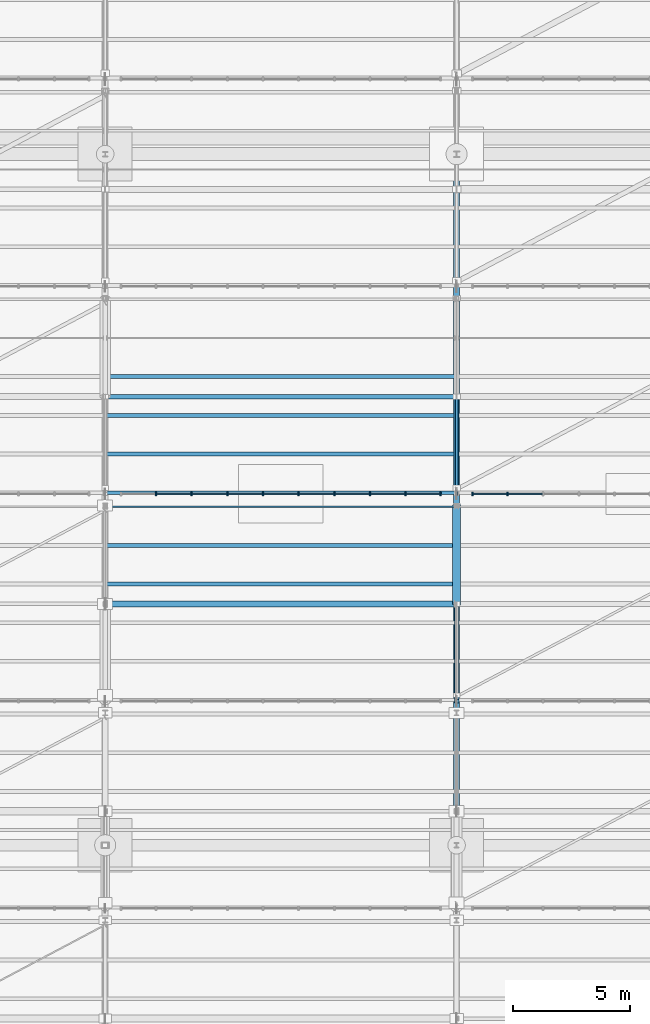
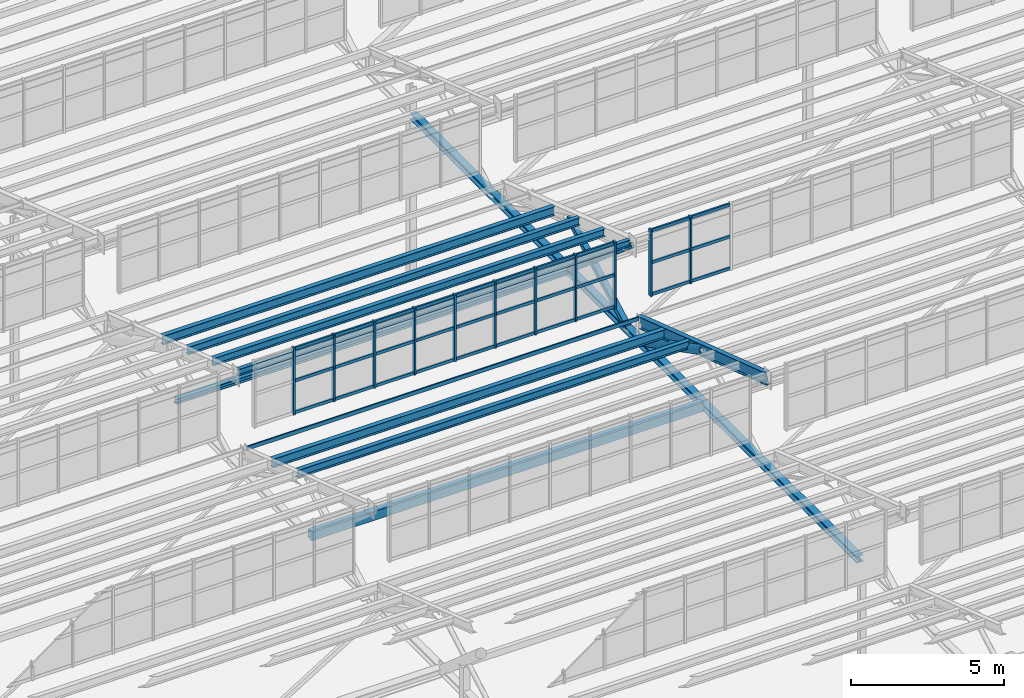
# One storey, part 68 of 285: 46 members, 9 beams, 2 elements without a shape of their own.
"""IFC4 building model written with IfcOpenShell, lengths in metres."""

import ifcopenshell
import ifcopenshell.guid

model = None  # the IFC model being written
_history = None  # IfcOwnerHistory: only IFC2X3 demands one
_inside = {}  # id of a spatial element -> (the spatial element, [elements in it])
_under = {}  # id of a project, library or spatial element -> (it, [spatial elements below it])
_declared = {}  # id of a project -> (the project, [libraries it declares])
_typed = {}  # id of a type object -> (the type object, [elements of that type])
_made_of = {}  # id of a material, layer set ... -> (it, [elements and type objects made of it])


def new_model(schema):
    """Start an empty IFC model of exactly this schema.

    Asked for "IFC4X3", IfcOpenShell would pick the latest addendum, in which some entities
    have other attributes; the version numbers below select the first issue.
    IFC2X3 requires an IfcOwnerHistory on every rooted entity: one is made here for all.
    """
    global model, _history
    if schema == "IFC4X3":
        model = ifcopenshell.file(schema_version=(4, 3, 0, 0))
    else:
        model = ifcopenshell.file(schema=schema)
    _inside.clear()
    _under.clear()
    _declared.clear()
    _typed.clear()
    _made_of.clear()
    _history = None
    if model.schema == "IFC2X3":
        org = make("IfcOrganization", Name="unknown")
        user = make(
            "IfcPersonAndOrganization",
            ThePerson=make("IfcPerson", FamilyName="unknown"),
            TheOrganization=org,
        )
        app = make(
            "IfcApplication",
            ApplicationDeveloper=org,
            Version="unknown",
            ApplicationFullName="unknown",
            ApplicationIdentifier="unknown",
        )
        _history = make(
            "IfcOwnerHistory",
            OwningUser=user,
            OwningApplication=app,
            ChangeAction="ADDED",
            CreationDate=0,
        )
    return model


def make(cls, **values):
    """One entity of the class cls with the attributes given. An attribute that is None is left unset."""
    return model.create_entity(
        cls, **{name: value for name, value in values.items() if value is not None}
    )


def rooted(cls, **values):
    """An entity with a GlobalId (a new one), such as an element, a storey or a relation."""
    return make(cls, GlobalId=ifcopenshell.guid.new(), OwnerHistory=_history, **values)


def si_unit(unit_type, name, prefix=None):
    """IfcSIUnit, for example si_unit("LENGTHUNIT", "METRE", prefix="MILLI")."""
    return make("IfcSIUnit", UnitType=unit_type, Prefix=prefix, Name=name)


def assignment(units):
    """IfcUnitAssignment: the units of a project."""
    return None if units is None else make("IfcUnitAssignment", Units=units)


def point(xyz):
    """IfcCartesianPoint."""
    return None if xyz is None else make("IfcCartesianPoint", Coordinates=xyz)


def direction(xyz):
    """IfcDirection."""
    return None if xyz is None else make("IfcDirection", DirectionRatios=xyz)


def frame(location, z_axis=None, x_axis=None):
    """IfcAxis2Placement3D, a coordinate frame: its origin and axes. An axis left out is left unset."""
    return make(
        "IfcAxis2Placement3D",
        Location=point(location),
        Axis=direction(z_axis),
        RefDirection=direction(x_axis),
    )


def frame_2d(location, x_axis=None):
    """IfcAxis2Placement2D, a coordinate frame in the plane: its origin and x axis."""
    return make(
        "IfcAxis2Placement2D", Location=point(location), RefDirection=direction(x_axis)
    )


def origin():
    """The frame at (0, 0, 0) with its axes left unset."""
    return frame((0.0, 0.0, 0.0))


def origin_2d():
    """The frame at (0, 0) in the plane with its x axis left unset."""
    return frame_2d((0.0, 0.0))


def place(relative_to, where):
    """IfcLocalPlacement: puts the frame where relative to a parent placement (None: the world)."""
    return make(
        "IfcLocalPlacement", PlacementRelTo=relative_to, RelativePlacement=where
    )


def context(
    kind, dimensions, precision=None, world=None, true_north=None, identifier=None
):
    """IfcGeometricRepresentationContext, for example the 3D "Model" context."""
    return make(
        "IfcGeometricRepresentationContext",
        ContextIdentifier=identifier,
        ContextType=kind,
        CoordinateSpaceDimension=dimensions,
        Precision=precision,
        WorldCoordinateSystem=world,
        TrueNorth=true_north,
    )


def subcontext(parent, identifier, kind, view, scale=None):
    """IfcGeometricRepresentationSubContext, for example "Body" below "Model"."""
    return make(
        "IfcGeometricRepresentationSubContext",
        ContextIdentifier=identifier,
        ContextType=kind,
        ParentContext=parent,
        TargetScale=scale,
        TargetView=view,
    )


def project(units=None, contexts=None):
    """IfcProject with its units and contexts."""
    return rooted(
        "IfcProject",
        Name="project",
        RepresentationContexts=contexts,
        UnitsInContext=assignment(units),
    )


def spatial(cls, under=None, at=None, **own):
    """A site, building, storey or space (cls), placed at a placement, below another one or the project."""
    s = rooted(cls, ObjectPlacement=at, **own)
    if under is not None:
        _under.setdefault(under.id(), (under, []))[1].append(s)
    return s


def profile(cls, at=None, kind="AREA", **sizes):
    """A parametric profile (cls). Its sizes go by their IFC names, for example OverallWidth=200.0."""
    return make(cls, ProfileType=kind, Position=at, **sizes)


def rectangle(**sizes):
    """IfcRectangleProfileDef."""
    return profile("IfcRectangleProfileDef", **sizes)


def hollow_rectangle(**sizes):
    """IfcRectangleHollowProfileDef."""
    return profile("IfcRectangleHollowProfileDef", **sizes)


def hollow_circle(**sizes):
    """IfcCircleHollowProfileDef."""
    return profile("IfcCircleHollowProfileDef", **sizes)


def i_section(**sizes):
    """IfcIShapeProfileDef."""
    return profile("IfcIShapeProfileDef", **sizes)


def extrude(swept, where, along, depth):
    """IfcExtrudedAreaSolid: the profile swept, set in the frame where, extruded along a direction by depth."""
    return make(
        "IfcExtrudedAreaSolid",
        SweptArea=swept,
        Position=where,
        ExtrudedDirection=direction(along),
        Depth=depth,
    )


def shape(context_of_items, identifier, shape_type, items):
    """IfcShapeRepresentation: the items that make up one representation, for example the "Body"."""
    return make(
        "IfcShapeRepresentation",
        ContextOfItems=context_of_items,
        RepresentationIdentifier=identifier,
        RepresentationType=shape_type,
        Items=items,
    )


def material(Name=None, Category=None):
    """IfcMaterial."""
    return make("IfcMaterial", Name=Name, Category=Category)


def material_profile(
    of_material, cross_section, Name=None, Category=None, Priority=None
):
    """IfcMaterialProfile: a cross section and its material."""
    return make(
        "IfcMaterialProfile",
        Name=Name,
        Material=of_material,
        Profile=cross_section,
        Priority=Priority,
        Category=Category,
    )


def profile_set(profiles, Name=None, composite=None):
    """IfcMaterialProfileSet."""
    return make(
        "IfcMaterialProfileSet",
        Name=Name,
        MaterialProfiles=profiles,
        CompositeProfile=composite,
    )


def made_of(thing, what):
    """Note that an element or type object is made of a material, layer set ...; save() writes the relation."""
    if what is not None:
        _made_of.setdefault(what.id(), (what, []))[1].append(thing)
    return thing


def type_object(cls, material=None, **own):
    """A type object (cls), such as IfcWallType, which elements share."""
    return made_of(rooted(cls, **own), material)


def element(
    cls,
    number,
    at=None,
    inside=None,
    cuts=None,
    type_object=None,
    material=None,
    context=None,
    identifier="Body",
    shape_type=None,
    held_by="IfcProductDefinitionShape",
    body=None,
    shapes=None,
    **own,
):
    """One element of the class cls, such as IfcWall. Its Tag is "e" and its number.

    at: its placement. inside: the storey or other place that contains it. cuts: it is an
    opening in that element (IfcRelVoidsElement). A single representation is given by context,
    identifier, shape_type and body (its items); several are given by shapes. held_by: the class
    of the entity that holds the representations. save() writes the other relations.
    """
    e = rooted(cls, Tag="e%d" % number, ObjectPlacement=at, **own)
    if body is not None:
        shapes = [shape(context, identifier, shape_type, body)]
    if shapes is not None:
        e.Representation = make(held_by, Representations=shapes)
    if inside is not None:
        _inside.setdefault(inside.id(), (inside, []))[1].append(e)
    if cuts is not None:
        rooted(
            "IfcRelVoidsElement", RelatingBuildingElement=cuts, RelatedOpeningElement=e
        )
    if type_object is not None:
        _typed.setdefault(type_object.id(), (type_object, []))[1].append(e)
    return made_of(e, material)


def aggregate(whole, parts):
    """IfcRelAggregates: a whole, such as a stair, and the parts it consists of."""
    return rooted("IfcRelAggregates", RelatingObject=whole, RelatedObjects=parts)


def save(model, path):
    """Write the relations noted so far, then the file.

    IfcRelAggregates (storeys below a building ...), IfcRelContainedInSpatialStructure (elements
    in a storey), IfcRelDefinesByType, IfcRelAssociatesMaterial and IfcRelDeclares: one each for
    every whole, place, type object, material and project.
    """
    for whole, parts in _under.values():
        aggregate(whole, parts)
    for where, things in _inside.values():
        rooted(
            "IfcRelContainedInSpatialStructure",
            RelatedElements=things,
            RelatingStructure=where,
        )
    for kind, things in _typed.values():
        rooted("IfcRelDefinesByType", RelatedObjects=things, RelatingType=kind)
    for what, things in _made_of.values():
        rooted("IfcRelAssociatesMaterial", RelatedObjects=things, RelatingMaterial=what)
    for by, libraries in _declared.values():
        rooted("IfcRelDeclares", RelatingContext=by, RelatedDefinitions=libraries)
    model.write(path)


model = new_model("IFC4")

# Units and contexts
model_context = context("Model", 3, precision=1e-05, world=origin(), true_north=direction((0.0, 1.0)))
body_context = subcontext(model_context, "Body", "Model", "MODEL_VIEW")
ifc_project = project(units=[si_unit("LENGTHUNIT", "METRE"), si_unit("AREAUNIT", "SQUARE_METRE"), si_unit("VOLUMEUNIT", "CUBIC_METRE"), si_unit("PLANEANGLEUNIT", "RADIAN"), si_unit("MASSUNIT", "GRAM", prefix="KILO")], contexts=[model_context])

# Site, building, storey
site_placement = place(None, origin())
site = spatial("IfcSite", under=ifc_project, at=site_placement, CompositionType="ELEMENT")
building_placement = place(site_placement, origin())
building = spatial("IfcBuilding", under=site, at=building_placement, Name="Solanera Park Tramway Depot", CompositionType="ELEMENT")
storey_placement = place(building_placement, origin())
storey = spatial("IfcBuildingStorey", under=building, at=storey_placement, Name="L00", CompositionType="ELEMENT", Elevation=0.0)

# Curtain wall, members
ifc_material_1 = material(Name="Bronze-anodised thermally broken aluminium curtain wall", Category="aluminium")
curtain_wall_type = type_object("IfcCurtainWallType", Name="Sawtooth Clerestory Monitor Curtain Wall", PredefinedType="NOTDEFINED", material=ifc_material_1)
curtain_wall_1_placement = place(storey_placement, origin())
curtain_wall_1 = element("IfcCurtainWall", 1, at=curtain_wall_1_placement, inside=storey, type_object=curtain_wall_type, Name="L00 Sawtooth Clerestory Monitor Curtain Wall #037", PredefinedType="NOTDEFINED")
ifc_material_2 = material(Name="Bronze-anodised structural aluminium 6063-T6", Category="aluminium")
ifc_material_profile_1 = material_profile(ifc_material_2, rectangle(XDim=0.06494140625, YDim=0.14990234375, at=origin_2d()), Name="Curtain Wall Mullion 65x150")
ifc_profile_set_1 = profile_set([ifc_material_profile_1], Name="Bronze-anodised structural aluminium 6063-T6")
member_type_1 = type_object("IfcMemberType", Name="Curtain Wall Mullion 65x150", PredefinedType="MULLION", material=ifc_profile_set_1)
member_1_placement = place(storey_placement, frame((32.172119140625, 100.0, 7.75), z_axis=(0.0, 0.0, 1.0), x_axis=(1.0, 0.0, 0.0)))
member_1 = element("IfcMember", 2, at=member_1_placement, type_object=member_type_1, Name="CW-L00-037 Mullion 2", PredefinedType="MULLION", context=body_context, shape_type="SweptSolid", body=[
    extrude(rectangle(XDim=0.06494140625, YDim=0.14990234375, at=origin_2d()), origin(), (0.0, 0.0, 1.0), 2.6611328125),
])
member_2_placement = place(storey_placement, frame((33.6943359375, 100.0, 7.75), z_axis=(0.0, 0.0, 1.0), x_axis=(1.0, 0.0, 0.0)))
member_2 = element("IfcMember", 3, at=member_2_placement, type_object=member_type_1, Name="CW-L00-037 Mullion 3", PredefinedType="MULLION", context=body_context, shape_type="SweptSolid", body=[
    extrude(rectangle(XDim=0.06494140625, YDim=0.14990234375, at=origin_2d()), origin(), (0.0, 0.0, 1.0), 2.6611328125),
])
member_3_placement = place(storey_placement, frame((35.216796875, 100.0, 7.75), z_axis=(0.0, 0.0, 1.0), x_axis=(1.0, 0.0, 0.0)))
member_3 = element("IfcMember", 4, at=member_3_placement, type_object=member_type_1, Name="CW-L00-037 Mullion 4", PredefinedType="MULLION", context=body_context, shape_type="SweptSolid", body=[
    extrude(rectangle(XDim=0.06494140625, YDim=0.14990234375, at=origin_2d()), origin(), (0.0, 0.0, 1.0), 2.6611328125),
])
member_4_placement = place(storey_placement, frame((36.739013671875, 100.0, 7.75), z_axis=(0.0, 0.0, 1.0), x_axis=(1.0, 0.0, 0.0)))
member_4 = element("IfcMember", 5, at=member_4_placement, type_object=member_type_1, Name="CW-L00-037 Mullion 5", PredefinedType="MULLION", context=body_context, shape_type="SweptSolid", body=[
    extrude(rectangle(XDim=0.06494140625, YDim=0.14990234375, at=origin_2d()), origin(), (0.0, 0.0, 1.0), 2.6611328125),
])
member_5_placement = place(storey_placement, frame((38.260986328125, 100.0, 7.75), z_axis=(0.0, 0.0, 1.0), x_axis=(1.0, 0.0, 0.0)))
member_5 = element("IfcMember", 6, at=member_5_placement, type_object=member_type_1, Name="CW-L00-037 Mullion 6", PredefinedType="MULLION", context=body_context, shape_type="SweptSolid", body=[
    extrude(rectangle(XDim=0.06494140625, YDim=0.14990234375, at=origin_2d()), origin(), (0.0, 0.0, 1.0), 2.6611328125),
])
member_6_placement = place(storey_placement, frame((39.783203125, 100.0, 7.75), z_axis=(0.0, 0.0, 1.0), x_axis=(1.0, 0.0, 0.0)))
member_6 = element("IfcMember", 7, at=member_6_placement, type_object=member_type_1, Name="CW-L00-037 Mullion 7", PredefinedType="MULLION", context=body_context, shape_type="SweptSolid", body=[
    extrude(rectangle(XDim=0.06494140625, YDim=0.14990234375, at=origin_2d()), origin(), (0.0, 0.0, 1.0), 2.6611328125),
])
member_7_placement = place(storey_placement, frame((41.3056640625, 100.0, 7.75), z_axis=(0.0, 0.0, 1.0), x_axis=(1.0, 0.0, 0.0)))
member_7 = element("IfcMember", 8, at=member_7_placement, type_object=member_type_1, Name="CW-L00-037 Mullion 8", PredefinedType="MULLION", context=body_context, shape_type="SweptSolid", body=[
    extrude(rectangle(XDim=0.06494140625, YDim=0.14990234375, at=origin_2d()), origin(), (0.0, 0.0, 1.0), 2.6611328125),
])
member_8_placement = place(storey_placement, frame((42.827880859375, 100.0, 7.75), z_axis=(0.0, 0.0, 1.0), x_axis=(1.0, 0.0, 0.0)))
member_8 = element("IfcMember", 9, at=member_8_placement, type_object=member_type_1, Name="CW-L00-037 Mullion 9", PredefinedType="MULLION", context=body_context, shape_type="SweptSolid", body=[
    extrude(rectangle(XDim=0.06494140625, YDim=0.14990234375, at=origin_2d()), origin(), (0.0, 0.0, 1.0), 2.6611328125),
])
member_9_placement = place(storey_placement, frame((44.3173828125, 100.0, 7.75), z_axis=(0.0, 0.0, 1.0), x_axis=(1.0, 0.0, 0.0)))
member_9 = element("IfcMember", 10, at=member_9_placement, type_object=member_type_1, Name="CW-L00-037 Mullion 10", PredefinedType="MULLION", context=body_context, shape_type="SweptSolid", body=[
    extrude(rectangle(XDim=0.06494140625, YDim=0.14990234375, at=origin_2d()), origin(), (0.0, 0.0, 1.0), 2.6611328125),
])

curtain_wall_2_placement = place(storey_placement, origin())
curtain_wall_2 = element("IfcCurtainWall", 11, at=curtain_wall_2_placement, inside=storey, type_object=curtain_wall_type, Name="L00 Sawtooth Clerestory Monitor Curtain Wall #038", PredefinedType="NOTDEFINED")
member_10_placement = place(storey_placement, frame((45.6826171875, 100.0, 7.75), z_axis=(0.0, 0.0, 1.0), x_axis=(1.0, 0.0, 0.0)))
member_10 = element("IfcMember", 12, at=member_10_placement, type_object=member_type_1, Name="CW-L00-038 Mullion 1", PredefinedType="MULLION", context=body_context, shape_type="SweptSolid", body=[
    extrude(rectangle(XDim=0.06494140625, YDim=0.14990234375, at=origin_2d()), origin(), (0.0, 0.0, 1.0), 2.6611328125),
])
member_11_placement = place(storey_placement, frame((47.172119140625, 100.0, 7.75), z_axis=(0.0, 0.0, 1.0), x_axis=(1.0, 0.0, 0.0)))
member_11 = element("IfcMember", 13, at=member_11_placement, type_object=member_type_1, Name="CW-L00-038 Mullion 2", PredefinedType="MULLION", context=body_context, shape_type="SweptSolid", body=[
    extrude(rectangle(XDim=0.06494140625, YDim=0.14990234375, at=origin_2d()), origin(), (0.0, 0.0, 1.0), 2.6611328125),
])

# Member
ifc_material_3 = material(Name="Bronze-anodised structural aluminium 6063-T6", Category="aluminium")
ifc_material_profile_2 = material_profile(ifc_material_3, rectangle(XDim=0.06494140625, YDim=0.1201171875, at=origin_2d()), Name="Curtain Wall Transom 65x120")
ifc_profile_set_2 = profile_set([ifc_material_profile_2], Name="Bronze-anodised structural aluminium 6063-T6")
member_type_2 = type_object("IfcMemberType", Name="Curtain Wall Transom 65x120", PredefinedType="USERDEFINED", material=ifc_profile_set_2)
member_12_placement = place(storey_placement, frame((32.2001953125, 100.0, 7.81005859375), z_axis=(1.0, 0.0, 0.0), x_axis=(0.0, 1.0, 0.0)))
member_12 = element("IfcMember", 14, at=member_12_placement, type_object=member_type_2, Name="CW-L00-037 Transom R1.C2", ObjectType="TRANSOM", PredefinedType="USERDEFINED", context=body_context, shape_type="SweptSolid", body=[
    extrude(rectangle(XDim=0.06494140625, YDim=0.1201171875, at=origin_2d()), origin(), (0.0, 0.0, 1.0), 1.46630859375),
])

member_13_placement = place(storey_placement, frame((33.722412109375, 100.0, 7.81005859375), z_axis=(1.0, 0.0, 0.0), x_axis=(0.0, 1.0, 0.0)))
member_13 = element("IfcMember", 15, at=member_13_placement, type_object=member_type_2, Name="CW-L00-037 Transom R1.C3", ObjectType="TRANSOM", PredefinedType="USERDEFINED", context=body_context, shape_type="SweptSolid", body=[
    extrude(rectangle(XDim=0.06494140625, YDim=0.1201171875, at=origin_2d()), origin(), (0.0, 0.0, 1.0), 1.46630859375),
])

member_14_placement = place(storey_placement, frame((35.24462890625, 100.0, 7.81005859375), z_axis=(1.0, 0.0, 0.0), x_axis=(0.0, 1.0, 0.0)))
member_14 = element("IfcMember", 16, at=member_14_placement, type_object=member_type_2, Name="CW-L00-037 Transom R1.C4", ObjectType="TRANSOM", PredefinedType="USERDEFINED", context=body_context, shape_type="SweptSolid", body=[
    extrude(rectangle(XDim=0.06494140625, YDim=0.1201171875, at=origin_2d()), origin(), (0.0, 0.0, 1.0), 1.46630859375),
])

member_15_placement = place(storey_placement, frame((36.766845703125, 100.0, 7.81005859375), z_axis=(1.0, 0.0, 0.0), x_axis=(0.0, 1.0, 0.0)))
member_15 = element("IfcMember", 17, at=member_15_placement, type_object=member_type_2, Name="CW-L00-037 Transom R1.C5", ObjectType="TRANSOM", PredefinedType="USERDEFINED", context=body_context, shape_type="SweptSolid", body=[
    extrude(rectangle(XDim=0.06494140625, YDim=0.1201171875, at=origin_2d()), origin(), (0.0, 0.0, 1.0), 1.46630859375),
])

member_16_placement = place(storey_placement, frame((38.2890625, 100.0, 7.81005859375), z_axis=(1.0, 0.0, 0.0), x_axis=(0.0, 1.0, 0.0)))
member_16 = element("IfcMember", 18, at=member_16_placement, type_object=member_type_2, Name="CW-L00-037 Transom R1.C6", ObjectType="TRANSOM", PredefinedType="USERDEFINED", context=body_context, shape_type="SweptSolid", body=[
    extrude(rectangle(XDim=0.06494140625, YDim=0.1201171875, at=origin_2d()), origin(), (0.0, 0.0, 1.0), 1.46630859375),
])

member_17_placement = place(storey_placement, frame((39.811279296875, 100.0, 7.81005859375), z_axis=(1.0, 0.0, 0.0), x_axis=(0.0, 1.0, 0.0)))
member_17 = element("IfcMember", 19, at=member_17_placement, type_object=member_type_2, Name="CW-L00-037 Transom R1.C7", ObjectType="TRANSOM", PredefinedType="USERDEFINED", context=body_context, shape_type="SweptSolid", body=[
    extrude(rectangle(XDim=0.06494140625, YDim=0.1201171875, at=origin_2d()), origin(), (0.0, 0.0, 1.0), 1.46630859375),
])

member_18_placement = place(storey_placement, frame((41.33349609375, 100.0, 7.81005859375), z_axis=(1.0, 0.0, 0.0), x_axis=(0.0, 1.0, 0.0)))
member_18 = element("IfcMember", 20, at=member_18_placement, type_object=member_type_2, Name="CW-L00-037 Transom R1.C8", ObjectType="TRANSOM", PredefinedType="USERDEFINED", context=body_context, shape_type="SweptSolid", body=[
    extrude(rectangle(XDim=0.06494140625, YDim=0.1201171875, at=origin_2d()), origin(), (0.0, 0.0, 1.0), 1.46630859375),
])

member_19_placement = place(storey_placement, frame((42.855712890625, 100.0, 7.81005859375), z_axis=(1.0, 0.0, 0.0), x_axis=(0.0, 1.0, 0.0)))
member_19 = element("IfcMember", 21, at=member_19_placement, type_object=member_type_2, Name="CW-L00-037 Transom R1.C9", ObjectType="TRANSOM", PredefinedType="USERDEFINED", context=body_context, shape_type="SweptSolid", body=[
    extrude(rectangle(XDim=0.06494140625, YDim=0.1201171875, at=origin_2d()), origin(), (0.0, 0.0, 1.0), 1.433837890625),
])

member_20_placement = place(storey_placement, frame((32.2001953125, 100.0, 9.08056640625), z_axis=(1.0, 0.0, 0.0), x_axis=(0.0, 1.0, 0.0)))
member_20 = element("IfcMember", 22, at=member_20_placement, type_object=member_type_2, Name="CW-L00-037 Transom R2.C2", ObjectType="TRANSOM", PredefinedType="USERDEFINED", context=body_context, shape_type="SweptSolid", body=[
    extrude(rectangle(XDim=0.06494140625, YDim=0.1201171875, at=origin_2d()), origin(), (0.0, 0.0, 1.0), 1.46630859375),
])

member_21_placement = place(storey_placement, frame((33.722412109375, 100.0, 9.08056640625), z_axis=(1.0, 0.0, 0.0), x_axis=(0.0, 1.0, 0.0)))
member_21 = element("IfcMember", 23, at=member_21_placement, type_object=member_type_2, Name="CW-L00-037 Transom R2.C3", ObjectType="TRANSOM", PredefinedType="USERDEFINED", context=body_context, shape_type="SweptSolid", body=[
    extrude(rectangle(XDim=0.06494140625, YDim=0.1201171875, at=origin_2d()), origin(), (0.0, 0.0, 1.0), 1.46630859375),
])

member_22_placement = place(storey_placement, frame((35.24462890625, 100.0, 9.08056640625), z_axis=(1.0, 0.0, 0.0), x_axis=(0.0, 1.0, 0.0)))
member_22 = element("IfcMember", 24, at=member_22_placement, type_object=member_type_2, Name="CW-L00-037 Transom R2.C4", ObjectType="TRANSOM", PredefinedType="USERDEFINED", context=body_context, shape_type="SweptSolid", body=[
    extrude(rectangle(XDim=0.06494140625, YDim=0.1201171875, at=origin_2d()), origin(), (0.0, 0.0, 1.0), 1.46630859375),
])

member_23_placement = place(storey_placement, frame((36.766845703125, 100.0, 9.08056640625), z_axis=(1.0, 0.0, 0.0), x_axis=(0.0, 1.0, 0.0)))
member_23 = element("IfcMember", 25, at=member_23_placement, type_object=member_type_2, Name="CW-L00-037 Transom R2.C5", ObjectType="TRANSOM", PredefinedType="USERDEFINED", context=body_context, shape_type="SweptSolid", body=[
    extrude(rectangle(XDim=0.06494140625, YDim=0.1201171875, at=origin_2d()), origin(), (0.0, 0.0, 1.0), 1.46630859375),
])

member_24_placement = place(storey_placement, frame((38.2890625, 100.0, 9.08056640625), z_axis=(1.0, 0.0, 0.0), x_axis=(0.0, 1.0, 0.0)))
member_24 = element("IfcMember", 26, at=member_24_placement, type_object=member_type_2, Name="CW-L00-037 Transom R2.C6", ObjectType="TRANSOM", PredefinedType="USERDEFINED", context=body_context, shape_type="SweptSolid", body=[
    extrude(rectangle(XDim=0.06494140625, YDim=0.1201171875, at=origin_2d()), origin(), (0.0, 0.0, 1.0), 1.46630859375),
])

member_25_placement = place(storey_placement, frame((39.811279296875, 100.0, 9.08056640625), z_axis=(1.0, 0.0, 0.0), x_axis=(0.0, 1.0, 0.0)))
member_25 = element("IfcMember", 27, at=member_25_placement, type_object=member_type_2, Name="CW-L00-037 Transom R2.C7", ObjectType="TRANSOM", PredefinedType="USERDEFINED", context=body_context, shape_type="SweptSolid", body=[
    extrude(rectangle(XDim=0.06494140625, YDim=0.1201171875, at=origin_2d()), origin(), (0.0, 0.0, 1.0), 1.46630859375),
])

member_26_placement = place(storey_placement, frame((41.33349609375, 100.0, 9.08056640625), z_axis=(1.0, 0.0, 0.0), x_axis=(0.0, 1.0, 0.0)))
member_26 = element("IfcMember", 28, at=member_26_placement, type_object=member_type_2, Name="CW-L00-037 Transom R2.C8", ObjectType="TRANSOM", PredefinedType="USERDEFINED", context=body_context, shape_type="SweptSolid", body=[
    extrude(rectangle(XDim=0.06494140625, YDim=0.1201171875, at=origin_2d()), origin(), (0.0, 0.0, 1.0), 1.46630859375),
])

member_27_placement = place(storey_placement, frame((42.855712890625, 100.0, 9.08056640625), z_axis=(1.0, 0.0, 0.0), x_axis=(0.0, 1.0, 0.0)))
member_27 = element("IfcMember", 29, at=member_27_placement, type_object=member_type_2, Name="CW-L00-037 Transom R2.C9", ObjectType="TRANSOM", PredefinedType="USERDEFINED", context=body_context, shape_type="SweptSolid", body=[
    extrude(rectangle(XDim=0.06494140625, YDim=0.1201171875, at=origin_2d()), origin(), (0.0, 0.0, 1.0), 1.433837890625),
])

member_28_placement = place(storey_placement, frame((32.2001953125, 100.0, 10.351318359375), z_axis=(1.0, 0.0, 0.0), x_axis=(0.0, 1.0, 0.0)))
member_28 = element("IfcMember", 30, at=member_28_placement, type_object=member_type_2, Name="CW-L00-037 Transom R3.C2", ObjectType="TRANSOM", PredefinedType="USERDEFINED", context=body_context, shape_type="SweptSolid", body=[
    extrude(rectangle(XDim=0.06494140625, YDim=0.1201171875, at=origin_2d()), origin(), (0.0, 0.0, 1.0), 1.46630859375),
])

member_29_placement = place(storey_placement, frame((33.722412109375, 100.0, 10.351318359375), z_axis=(1.0, 0.0, 0.0), x_axis=(0.0, 1.0, 0.0)))
member_29 = element("IfcMember", 31, at=member_29_placement, type_object=member_type_2, Name="CW-L00-037 Transom R3.C3", ObjectType="TRANSOM", PredefinedType="USERDEFINED", context=body_context, shape_type="SweptSolid", body=[
    extrude(rectangle(XDim=0.06494140625, YDim=0.1201171875, at=origin_2d()), origin(), (0.0, 0.0, 1.0), 1.46630859375),
])

member_30_placement = place(storey_placement, frame((35.24462890625, 100.0, 10.351318359375), z_axis=(1.0, 0.0, 0.0), x_axis=(0.0, 1.0, 0.0)))
member_30 = element("IfcMember", 32, at=member_30_placement, type_object=member_type_2, Name="CW-L00-037 Transom R3.C4", ObjectType="TRANSOM", PredefinedType="USERDEFINED", context=body_context, shape_type="SweptSolid", body=[
    extrude(rectangle(XDim=0.06494140625, YDim=0.1201171875, at=origin_2d()), origin(), (0.0, 0.0, 1.0), 1.46630859375),
])

member_31_placement = place(storey_placement, frame((36.766845703125, 100.0, 10.351318359375), z_axis=(1.0, 0.0, 0.0), x_axis=(0.0, 1.0, 0.0)))
member_31 = element("IfcMember", 33, at=member_31_placement, type_object=member_type_2, Name="CW-L00-037 Transom R3.C5", ObjectType="TRANSOM", PredefinedType="USERDEFINED", context=body_context, shape_type="SweptSolid", body=[
    extrude(rectangle(XDim=0.06494140625, YDim=0.1201171875, at=origin_2d()), origin(), (0.0, 0.0, 1.0), 1.46630859375),
])

member_32_placement = place(storey_placement, frame((38.2890625, 100.0, 10.351318359375), z_axis=(1.0, 0.0, 0.0), x_axis=(0.0, 1.0, 0.0)))
member_32 = element("IfcMember", 34, at=member_32_placement, type_object=member_type_2, Name="CW-L00-037 Transom R3.C6", ObjectType="TRANSOM", PredefinedType="USERDEFINED", context=body_context, shape_type="SweptSolid", body=[
    extrude(rectangle(XDim=0.06494140625, YDim=0.1201171875, at=origin_2d()), origin(), (0.0, 0.0, 1.0), 1.46630859375),
])

member_33_placement = place(storey_placement, frame((39.811279296875, 100.0, 10.351318359375), z_axis=(1.0, 0.0, 0.0), x_axis=(0.0, 1.0, 0.0)))
member_33 = element("IfcMember", 35, at=member_33_placement, type_object=member_type_2, Name="CW-L00-037 Transom R3.C7", ObjectType="TRANSOM", PredefinedType="USERDEFINED", context=body_context, shape_type="SweptSolid", body=[
    extrude(rectangle(XDim=0.06494140625, YDim=0.1201171875, at=origin_2d()), origin(), (0.0, 0.0, 1.0), 1.46630859375),
])

member_34_placement = place(storey_placement, frame((41.33349609375, 100.0, 10.351318359375), z_axis=(1.0, 0.0, 0.0), x_axis=(0.0, 1.0, 0.0)))
member_34 = element("IfcMember", 36, at=member_34_placement, type_object=member_type_2, Name="CW-L00-037 Transom R3.C8", ObjectType="TRANSOM", PredefinedType="USERDEFINED", context=body_context, shape_type="SweptSolid", body=[
    extrude(rectangle(XDim=0.06494140625, YDim=0.1201171875, at=origin_2d()), origin(), (0.0, 0.0, 1.0), 1.46630859375),
])

member_35_placement = place(storey_placement, frame((42.855712890625, 100.0, 10.351318359375), z_axis=(1.0, 0.0, 0.0), x_axis=(0.0, 1.0, 0.0)))
member_35 = element("IfcMember", 37, at=member_35_placement, type_object=member_type_2, Name="CW-L00-037 Transom R3.C9", ObjectType="TRANSOM", PredefinedType="USERDEFINED", context=body_context, shape_type="SweptSolid", body=[
    extrude(rectangle(XDim=0.06494140625, YDim=0.1201171875, at=origin_2d()), origin(), (0.0, 0.0, 1.0), 1.433837890625),
])

aggregate(curtain_wall_1, [member_1, member_2, member_3, member_4, member_5, member_6, member_7, member_8, member_9, member_12, member_13, member_14, member_15, member_16, member_17, member_18, member_19, member_20, member_21, member_22, member_23, member_24, member_25, member_26, member_27, member_28, member_29, member_30, member_31, member_32, member_33, member_34, member_35])

member_36_placement = place(storey_placement, frame((45.71044921875, 100.0, 7.81005859375), z_axis=(1.0, 0.0, 0.0), x_axis=(0.0, 1.0, 0.0)))
member_36 = element("IfcMember", 38, at=member_36_placement, type_object=member_type_2, Name="CW-L00-038 Transom R1.C1", ObjectType="TRANSOM", PredefinedType="USERDEFINED", context=body_context, shape_type="SweptSolid", body=[
    extrude(rectangle(XDim=0.06494140625, YDim=0.1201171875, at=origin_2d()), origin(), (0.0, 0.0, 1.0), 1.433837890625),
])

member_37_placement = place(storey_placement, frame((47.2001953125, 100.0, 7.81005859375), z_axis=(1.0, 0.0, 0.0), x_axis=(0.0, 1.0, 0.0)))
member_37 = element("IfcMember", 39, at=member_37_placement, type_object=member_type_2, Name="CW-L00-038 Transom R1.C2", ObjectType="TRANSOM", PredefinedType="USERDEFINED", context=body_context, shape_type="SweptSolid", body=[
    extrude(rectangle(XDim=0.06494140625, YDim=0.1201171875, at=origin_2d()), origin(), (0.0, 0.0, 1.0), 1.46630859375),
])

member_38_placement = place(storey_placement, frame((45.71044921875, 100.0, 9.08056640625), z_axis=(1.0, 0.0, 0.0), x_axis=(0.0, 1.0, 0.0)))
member_38 = element("IfcMember", 40, at=member_38_placement, type_object=member_type_2, Name="CW-L00-038 Transom R2.C1", ObjectType="TRANSOM", PredefinedType="USERDEFINED", context=body_context, shape_type="SweptSolid", body=[
    extrude(rectangle(XDim=0.06494140625, YDim=0.1201171875, at=origin_2d()), origin(), (0.0, 0.0, 1.0), 1.433837890625),
])

member_39_placement = place(storey_placement, frame((47.2001953125, 100.0, 9.08056640625), z_axis=(1.0, 0.0, 0.0), x_axis=(0.0, 1.0, 0.0)))
member_39 = element("IfcMember", 41, at=member_39_placement, type_object=member_type_2, Name="CW-L00-038 Transom R2.C2", ObjectType="TRANSOM", PredefinedType="USERDEFINED", context=body_context, shape_type="SweptSolid", body=[
    extrude(rectangle(XDim=0.06494140625, YDim=0.1201171875, at=origin_2d()), origin(), (0.0, 0.0, 1.0), 1.46630859375),
])

member_40_placement = place(storey_placement, frame((45.71044921875, 100.0, 10.351318359375), z_axis=(1.0, 0.0, 0.0), x_axis=(0.0, 1.0, 0.0)))
member_40 = element("IfcMember", 42, at=member_40_placement, type_object=member_type_2, Name="CW-L00-038 Transom R3.C1", ObjectType="TRANSOM", PredefinedType="USERDEFINED", context=body_context, shape_type="SweptSolid", body=[
    extrude(rectangle(XDim=0.06494140625, YDim=0.1201171875, at=origin_2d()), origin(), (0.0, 0.0, 1.0), 1.433837890625),
])

member_41_placement = place(storey_placement, frame((47.2001953125, 100.0, 10.351318359375), z_axis=(1.0, 0.0, 0.0), x_axis=(0.0, 1.0, 0.0)))
member_41 = element("IfcMember", 43, at=member_41_placement, type_object=member_type_2, Name="CW-L00-038 Transom R3.C2", ObjectType="TRANSOM", PredefinedType="USERDEFINED", context=body_context, shape_type="SweptSolid", body=[
    extrude(rectangle(XDim=0.06494140625, YDim=0.1201171875, at=origin_2d()), origin(), (0.0, 0.0, 1.0), 1.46630859375),
])

aggregate(curtain_wall_2, [member_10, member_11, member_36, member_37, member_38, member_39, member_40, member_41])

# Members
ifc_material_4 = material(Name="Steel AS/NZS 1163 Grade C350L0", Category="steel")
ifc_material_profile_3 = material_profile(ifc_material_4, hollow_rectangle(XDim=0.199951171875, YDim=0.199951171875, WallThickness=0.008056640625, at=origin_2d()), Name="200x200x8.0 SHS")
ifc_profile_set_3 = profile_set([ifc_material_profile_3], Name="Steel AS/NZS 1163 Grade C350L0")
member_type_3 = type_object("IfcMemberType", Name="Roof Gantry Compression Strut 200x200x8.0 SHS", PredefinedType="STRUT", material=ifc_profile_set_3)
member_42_placement = place(storey_placement, frame((45.0, 100.25, 6.5), z_axis=(0.0, 0.877666599941, 0.479271675929), x_axis=(-1.0, 0.0, 0.0)))
element("IfcMember", 44, at=member_42_placement, inside=storey, type_object=member_type_3, Name="Sawtooth ROOF TRUSS Strut 200x200x8.0 SHS #0237", PredefinedType="STRUT", context=body_context, shape_type="SweptSolid", body=[
    extrude(hollow_rectangle(XDim=0.199951171875, YDim=0.199951171875, WallThickness=0.008056640625, at=origin_2d()), origin(), (0.0, 0.0, 1.0), 4.443603515625),
])
ifc_material_5 = material(Name="Steel AS/NZS 3679.1 Grade 350", Category="steel")
ifc_material_profile_4 = material_profile(ifc_material_5, i_section(OverallWidth=0.203369140625, OverallDepth=0.203369140625, WebThickness=0.00732421875, FlangeThickness=0.010986328125, at=origin_2d()), Name="200UC46.2")
ifc_profile_set_4 = profile_set([ifc_material_profile_4], Name="Steel AS/NZS 3679.1 Grade 350")
member_type_4 = type_object("IfcMemberType", Name="Secondary Truss Chord 200UC46.2", PredefinedType="CHORD", material=ifc_profile_set_4)
member_43_placement = place(storey_placement, frame((30.087890625, 104.14990234375, 6.5), z_axis=(1.0, 0.0, 0.0), x_axis=(0.0, 1.0, 0.0)))
element("IfcMember", 45, at=member_43_placement, inside=storey, type_object=member_type_4, Name="Sawtooth Longitudinal Tie Chord 200UC46.2 #0262", PredefinedType="CHORD", context=body_context, shape_type="SweptSolid", body=[
    extrude(i_section(OverallWidth=0.203369140625, OverallDepth=0.203369140625, WebThickness=0.00732421875, FlangeThickness=0.010986328125, at=origin_2d()), origin(), (0.0, 0.0, 1.0), 14.82421875),
])
ifc_material_6 = material(Name="Steel AS/NZS 1163 Grade C350L0", Category="steel")
ifc_material_profile_5 = material_profile(ifc_material_6, hollow_rectangle(XDim=0.25, YDim=0.35009765625, WallThickness=0.010009765625, at=origin_2d()), Name="350x250x10.0 RHS")
ifc_profile_set_5 = profile_set([ifc_material_profile_5], Name="Steel AS/NZS 1163 Grade C350L0")
member_type_5 = type_object("IfcMemberType", Name="Secondary Truss Chord 350x250x10.0 RHS", PredefinedType="CHORD", material=ifc_profile_set_5)
member_44_placement = place(storey_placement, frame((30.087890625, 95.300048828125, 6.5), z_axis=(1.0, 0.0, 0.0), x_axis=(0.0, 1.0, 0.0)))
element("IfcMember", 46, at=member_44_placement, inside=storey, type_object=member_type_5, Name="Sawtooth Longitudinal Tie Chord 350x250x10.0 RHS #0215", PredefinedType="CHORD", context=body_context, shape_type="SweptSolid", body=[
    extrude(hollow_rectangle(XDim=0.25, YDim=0.35009765625, WallThickness=0.010009765625, at=origin_2d()), origin(), (0.0, 0.0, 1.0), 14.82421875),
])

# Beams
ifc_material_7 = material(Name="Steel AS/NZS 3679.1 Grade 350", Category="steel")
ifc_material_profile_6 = material_profile(ifc_material_7, i_section(OverallWidth=0.255615234375, OverallDepth=0.260009765625, WebThickness=0.010498046875, FlangeThickness=0.017333984375, at=origin_2d()), Name="250UC89.5")
ifc_profile_set_6 = profile_set([ifc_material_profile_6], Name="Steel AS/NZS 3679.1 Grade 350")
beam_type_1 = type_object("IfcBeamType", Name="Steel Beam 250UC89.5", PredefinedType="BEAM", material=ifc_profile_set_6)
beam_1_placement = place(storey_placement, frame((45.0, 85.101806640625, 6.5), z_axis=(0.0, 1.0, 0.0), x_axis=(-1.0, 0.0, 0.0)))
element("IfcBeam", 47, at=beam_1_placement, inside=storey, type_object=beam_type_1, Name="Sawtooth ROOF TRUSS Bottom Chord 250UC89.5 #0377", PredefinedType="BEAM", context=body_context, shape_type="SweptSolid", body=[
    extrude(i_section(OverallWidth=0.255615234375, OverallDepth=0.260009765625, WebThickness=0.010498046875, FlangeThickness=0.017333984375, at=origin_2d()), origin(), (0.0, 0.0, 1.0), 29.271240234375),
])
ifc_material_8 = material(Name="Steel AS/NZS 3679.1 Grade 350", Category="steel")
ifc_material_profile_7 = material_profile(ifc_material_8, i_section(OverallWidth=0.1904296875, OverallDepth=0.45751953125, WebThickness=0.009033203125, FlangeThickness=0.014404296875, at=origin_2d()), Name="460UB74.6")
ifc_profile_set_7 = profile_set([ifc_material_profile_7], Name="Steel AS/NZS 3679.1 Grade 350")
beam_type_2 = type_object("IfcBeamType", Name="Steel Beam 460UB74.6", PredefinedType="BEAM", material=ifc_profile_set_7)
beam_2_placement = place(storey_placement, frame((45.0, 91.14990234375, 10.05615234375), z_axis=(0.0, 0.948322229475, -0.317308917435), x_axis=(-1.0, 0.0, 0.0)))
element("IfcBeam", 48, at=beam_2_placement, inside=storey, type_object=beam_type_2, Name="Sawtooth ROOF TRUSS Top Rafter 460UB74.6 B05-T4", PredefinedType="BEAM", context=body_context, shape_type="SweptSolid", body=[
    extrude(i_section(OverallWidth=0.1904296875, OverallDepth=0.45751953125, WebThickness=0.009033203125, FlangeThickness=0.014404296875, at=origin_2d()), origin(), (0.0, 0.0, 1.0), 8.80517578125),
])
ifc_material_9 = material(Name="Steel AS/NZS 1163 Grade C350L0", Category="steel")
ifc_material_profile_8 = material_profile(ifc_material_9, hollow_rectangle(XDim=0.050048828125, YDim=0.14990234375, WallThickness=0.0048828125, at=origin_2d()), Name="150x50x5.0 RHS")
ifc_profile_set_8 = profile_set([ifc_material_profile_8], Name="Steel AS/NZS 1163 Grade C350L0")
beam_type_3 = type_object("IfcBeamType", Name="Steel Joist Purlin 150x50x5.0 RHS", PredefinedType="JOIST", material=ifc_profile_set_8)
beam_3_placement = place(storey_placement, frame((30.080810546875, 99.449951171875, 7.4462890625), z_axis=(1.0, 0.0, 0.0), x_axis=(0.0, 1.0, 0.0)))
element("IfcBeam", 49, at=beam_3_placement, inside=storey, type_object=beam_type_3, Name="Sawtooth Roof Purlin 150x50x5.0 RHS B05.6", PredefinedType="JOIST", context=body_context, shape_type="SweptSolid", body=[
    extrude(hollow_rectangle(XDim=0.050048828125, YDim=0.14990234375, WallThickness=0.0048828125, at=origin_2d()), origin(), (0.0, 0.0, 1.0), 14.83203125),
])
ifc_material_10 = material(Name="Steel AS/NZS 3679.1 Grade 350", Category="steel")
ifc_material_profile_9 = material_profile(ifc_material_10, i_section(OverallWidth=0.146484375, OverallDepth=0.256103515625, WebThickness=0.00634765625, FlangeThickness=0.010986328125, at=origin_2d()), Name="250UB37.3")
ifc_profile_set_9 = profile_set([ifc_material_profile_9], Name="Steel AS/NZS 3679.1 Grade 350")
beam_type_4 = type_object("IfcBeamType", Name="Steel Joist Purlin 250UB37.3", PredefinedType="JOIST", material=ifc_profile_set_9)
beam_4_placement = place(storey_placement, frame((30.087158203125, 100.050048828125, 10.137451171875), z_axis=(1.0, 0.0, 0.0), x_axis=(0.0, 1.0, 0.0)))
element("IfcBeam", 50, at=beam_4_placement, inside=storey, type_object=beam_type_4, Name="Sawtooth Roof Purlin 250UB37.3 B06.1", PredefinedType="JOIST", context=body_context, shape_type="SweptSolid", body=[
    extrude(i_section(OverallWidth=0.146484375, OverallDepth=0.256103515625, WebThickness=0.00634765625, FlangeThickness=0.010986328125, at=origin_2d()), origin(), (0.0, 0.0, 1.0), 14.816162109375),
])
ifc_material_11 = material(Name="Steel AS/NZS 3679.1 Grade 350", Category="steel")
ifc_material_profile_10 = material_profile(ifc_material_11, i_section(OverallWidth=0.1650390625, OverallDepth=0.3037109375, WebThickness=0.006103515625, FlangeThickness=0.01025390625, at=origin_2d()), Name="310UB40.4")
ifc_profile_set_10 = profile_set([ifc_material_profile_10], Name="Steel AS/NZS 3679.1 Grade 350")
beam_type_5 = type_object("IfcBeamType", Name="Steel Joist Purlin 310UB40.4", PredefinedType="JOIST", material=ifc_profile_set_10)
beam_5_placement = place(storey_placement, frame((30.087158203125, 101.699951171875, 9.55859375), z_axis=(1.0, 0.0, 0.0), x_axis=(0.0, 1.0, 0.0)))
element("IfcBeam", 51, at=beam_5_placement, inside=storey, type_object=beam_type_5, Name="Sawtooth Roof Purlin 310UB40.4 B06.2", PredefinedType="JOIST", context=body_context, shape_type="SweptSolid", body=[
    extrude(i_section(OverallWidth=0.1650390625, OverallDepth=0.3037109375, WebThickness=0.006103515625, FlangeThickness=0.01025390625, at=origin_2d()), origin(), (0.0, 0.0, 1.0), 14.816162109375),
])
ifc_material_12 = material(Name="Steel AS/NZS 3679.1 Grade 350", Category="steel")
ifc_material_profile_11 = material_profile(ifc_material_12, i_section(OverallWidth=0.166015625, OverallDepth=0.30712890625, WebThickness=0.006591796875, FlangeThickness=0.01171875, at=origin_2d()), Name="310UB46.2")
ifc_profile_set_11 = profile_set([ifc_material_profile_11], Name="Steel AS/NZS 3679.1 Grade 350")
beam_type_6 = type_object("IfcBeamType", Name="Steel Joist Purlin 310UB46.2", PredefinedType="JOIST", material=ifc_profile_set_11)
beam_6_placement = place(storey_placement, frame((30.080810546875, 96.14990234375, 8.452392578125), z_axis=(1.0, 0.0, 0.0), x_axis=(0.0, 1.0, 0.0)))
element("IfcBeam", 52, at=beam_6_placement, inside=storey, type_object=beam_type_6, Name="Sawtooth Roof Purlin 310UB46.2 B05.4", PredefinedType="JOIST", context=body_context, shape_type="SweptSolid", body=[
    extrude(i_section(OverallWidth=0.166015625, OverallDepth=0.30712890625, WebThickness=0.006591796875, FlangeThickness=0.01171875, at=origin_2d()), origin(), (0.0, 0.0, 1.0), 14.83203125),
])
beam_7_placement = place(storey_placement, frame((30.087158203125, 103.35009765625, 9.004638671875), z_axis=(1.0, 0.0, 0.0), x_axis=(0.0, 1.0, 0.0)))
element("IfcBeam", 53, at=beam_7_placement, inside=storey, type_object=beam_type_6, Name="Sawtooth Roof Purlin 310UB46.2 B06.3", PredefinedType="JOIST", context=body_context, shape_type="SweptSolid", body=[
    extrude(i_section(OverallWidth=0.166015625, OverallDepth=0.30712890625, WebThickness=0.006591796875, FlangeThickness=0.01171875, at=origin_2d()), origin(), (0.0, 0.0, 1.0), 14.816162109375),
])
ifc_material_13 = material(Name="Steel AS/NZS 3679.1 Grade 350", Category="steel")
ifc_material_profile_12 = material_profile(ifc_material_13, i_section(OverallWidth=0.17138671875, OverallDepth=0.355712890625, WebThickness=0.00732421875, FlangeThickness=0.011474609375, at=origin_2d()), Name="360UB50.7")
ifc_profile_set_12 = profile_set([ifc_material_profile_12], Name="Steel AS/NZS 3679.1 Grade 350")
beam_type_7 = type_object("IfcBeamType", Name="Steel Joist Purlin 360UB50.7", PredefinedType="JOIST", material=ifc_profile_set_12)
beam_8_placement = place(storey_placement, frame((30.080810546875, 97.800048828125, 7.875244140625), z_axis=(1.0, 0.0, 0.0), x_axis=(0.0, 1.0, 0.0)))
element("IfcBeam", 54, at=beam_8_placement, inside=storey, type_object=beam_type_7, Name="Sawtooth Roof Purlin 360UB50.7 B05.5", PredefinedType="JOIST", context=body_context, shape_type="SweptSolid", body=[
    extrude(i_section(OverallWidth=0.17138671875, OverallDepth=0.355712890625, WebThickness=0.00732421875, FlangeThickness=0.011474609375, at=origin_2d()), origin(), (0.0, 0.0, 1.0), 14.83203125),
])
beam_9_placement = place(storey_placement, frame((30.087158203125, 105.0, 8.42724609375), z_axis=(1.0, 0.0, 0.0), x_axis=(0.0, 1.0, 0.0)))
element("IfcBeam", 55, at=beam_9_placement, inside=storey, type_object=beam_type_7, Name="Sawtooth Roof Purlin 360UB50.7 B06.4", PredefinedType="JOIST", context=body_context, shape_type="SweptSolid", body=[
    extrude(i_section(OverallWidth=0.17138671875, OverallDepth=0.355712890625, WebThickness=0.00732421875, FlangeThickness=0.011474609375, at=origin_2d()), origin(), (0.0, 0.0, 1.0), 14.816162109375),
])

# Members
ifc_material_14 = material(Name="Steel AS/NZS 1163 Grade C350L0", Category="steel")
ifc_material_profile_13 = material_profile(ifc_material_14, hollow_rectangle(XDim=0.10009765625, YDim=0.199951171875, WallThickness=0.006103515625, at=origin_2d()), Name="200x100x6.0 RHS")
ifc_profile_set_13 = profile_set([ifc_material_profile_13], Name="Steel AS/NZS 1163 Grade C350L0")
member_type_6 = type_object("IfcMemberType", Name="Truss and Frame Brace 200x100x6.0 RHS", PredefinedType="BRACE", material=ifc_profile_set_13)
member_45_placement = place(storey_placement, frame((45.0, 104.14990234375, 6.5), z_axis=(0.0, -0.762764662408, 0.646676170724), x_axis=(1.0, 0.0, 0.0)))
element("IfcMember", 56, at=member_45_placement, inside=storey, type_object=member_type_6, Name="Sawtooth ROOF TRUSS Web Brace 200x100x6.0 RHS #0235", PredefinedType="BRACE", context=body_context, shape_type="SweptSolid", body=[
    extrude(hollow_rectangle(XDim=0.10009765625, YDim=0.199951171875, WallThickness=0.006103515625, at=origin_2d()), origin(), (0.0, 0.0, 1.0), 5.440673828125),
])
ifc_material_15 = material(Name="Steel AS/NZS 1163 Grade C350L0", Category="steel")
ifc_material_profile_14 = material_profile(ifc_material_15, hollow_circle(Radius=0.177734375, WallThickness=0.0126953125, at=origin_2d()), Name="355.6x12.7 CHS")
ifc_profile_set_14 = profile_set([ifc_material_profile_14], Name="Steel AS/NZS 1163 Grade C350L0")
member_type_7 = type_object("IfcMemberType", Name="Truss and Frame Brace 355.6x12.7 CHS", PredefinedType="BRACE", material=ifc_profile_set_14)
member_46_placement = place(storey_placement, frame((45.0, 99.5, 6.5), z_axis=(0.0, -0.888641030015, 0.458603445008), x_axis=(1.0, 0.0, 0.0)))
element("IfcMember", 57, at=member_46_placement, inside=storey, type_object=member_type_7, Name="Sawtooth ROOF TRUSS Diagonal 355.6x12.7 CHS #0189", PredefinedType="BRACE", context=body_context, shape_type="SweptSolid", body=[
    extrude(hollow_circle(Radius=0.177734375, WallThickness=0.0126953125, at=origin_2d()), origin(), (0.0, 0.0, 1.0), 4.726318359375),
])

save(model, "model.ifc")
